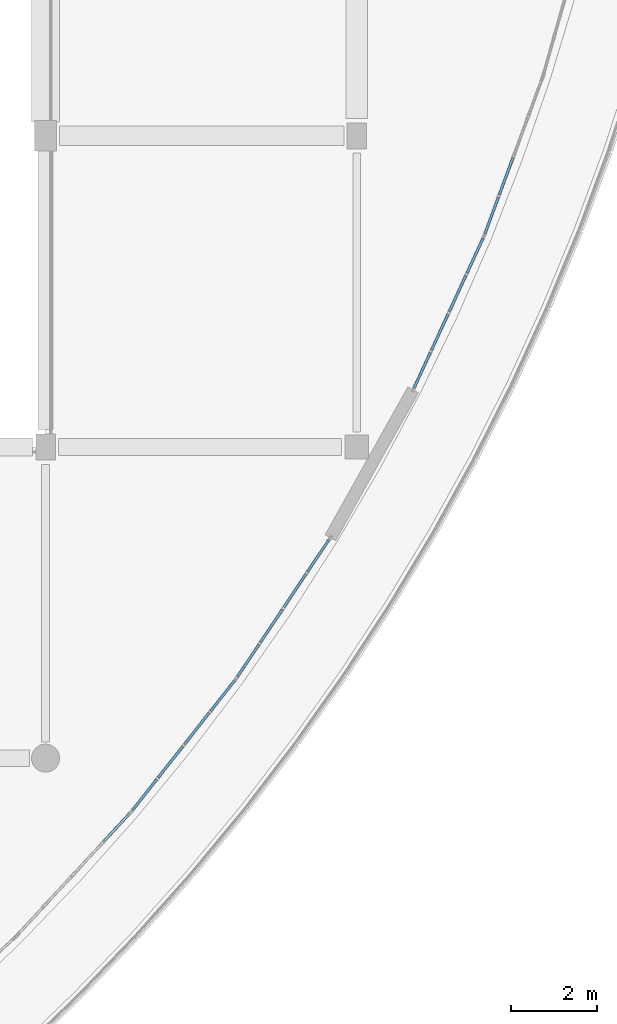
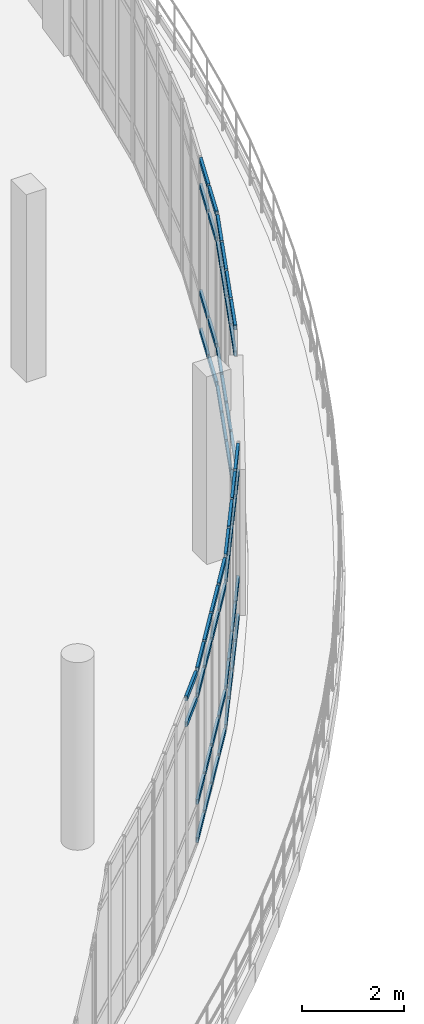
# One storey, part 90 of 134: 58 members, 5 elements without a shape of their own.
"""IFC4 building model written with IfcOpenShell, lengths in metres."""

from ifc_helpers import new_model, si_unit, direction, frame, origin, origin_2d, place, context, subcontext, project, spatial, hollow_rectangle, extrude, material, material_profile, profile_set, type_object, element, aggregate, save


model = new_model("IFC4")

# Units and contexts
model_context = context("Model", 3, precision=1e-05, world=origin(), true_north=direction((0.0, 1.0)))
body_context = subcontext(model_context, "Body", "Model", "MODEL_VIEW")
ifc_project = project(units=[si_unit("LENGTHUNIT", "METRE"), si_unit("AREAUNIT", "SQUARE_METRE"), si_unit("VOLUMEUNIT", "CUBIC_METRE"), si_unit("PLANEANGLEUNIT", "RADIAN"), si_unit("MASSUNIT", "GRAM", prefix="KILO")], contexts=[model_context])

# Site, building, storey
site_placement = place(None, origin())
site = spatial("IfcSite", under=ifc_project, at=site_placement, CompositionType="ELEMENT")
building_placement = place(site_placement, origin())
building = spatial("IfcBuilding", under=site, at=building_placement, Name="Kalluvel Institute of Natural Sciences", CompositionType="ELEMENT")
storey_placement = place(building_placement, frame((0.0, 0.0, 5.39990234375)))
storey = spatial("IfcBuildingStorey", under=building, at=storey_placement, Name="L01", CompositionType="ELEMENT", Elevation=5.39990234375)

# Curtain wall, members
ifc_material = material(Name="Aluminium AW-6063 T6", Category="aluminium")
curtain_wall_type = type_object("IfcCurtainWallType", Name="CW-ATR-ARC", PredefinedType="USERDEFINED", material=ifc_material)
curtain_wall_1_placement = place(storey_placement, origin())
curtain_wall_1 = element("IfcCurtainWall", 1, at=curtain_wall_1_placement, inside=storey, type_object=curtain_wall_type, Name="L01 Gothic lancet curtain wall CWA-L01-X709-Y675", ObjectType="UNITISED LANCET FACADE", PredefinedType="USERDEFINED")
ifc_material_profile = material_profile(ifc_material, hollow_rectangle(XDim=0.06005859375, YDim=0.1201171875, WallThickness=0.00390625, at=origin_2d()), Name="CWT 60x120")
ifc_profile_set = profile_set([ifc_material_profile], Name="Aluminium AW-6063 T6")
member_type = type_object("IfcMemberType", Name="CWT-60x120", PredefinedType="USERDEFINED", material=ifc_profile_set)
member_1_placement = place(storey_placement, frame((72.93701171875, 69.662109375, 3.5), z_axis=(0.678735389063, 0.734382918942, 0.0), x_axis=(-0.734382918942, 0.678735389063, 0.0)))
member_1 = element("IfcMember", 2, at=member_1_placement, type_object=member_type, Name="CW-05 transom 4.3", ObjectType="TRANSOM", PredefinedType="USERDEFINED", context=body_context, shape_type="SweptSolid", body=[
    extrude(hollow_rectangle(XDim=0.06005859375, YDim=0.1201171875, WallThickness=0.00390625, at=origin_2d()), origin(), (0.0, 0.0, 1.0), 0.890625),
])
member_2_placement = place(storey_placement, frame((72.93701171875, 69.662109375, 4.1201171875), z_axis=(0.678735389063, 0.734382918942, 0.0), x_axis=(-0.734382918942, 0.678735389063, 0.0)))
member_2 = element("IfcMember", 3, at=member_2_placement, type_object=member_type, Name="CW-05 transom 4.4", ObjectType="TRANSOM", PredefinedType="USERDEFINED", context=body_context, shape_type="SweptSolid", body=[
    extrude(hollow_rectangle(XDim=0.06005859375, YDim=0.1201171875, WallThickness=0.00390625, at=origin_2d()), origin(), (0.0, 0.0, 1.0), 0.890625),
])
aggregate(curtain_wall_1, [member_1, member_2])

curtain_wall_2_placement = place(storey_placement, origin())
curtain_wall_2 = element("IfcCurtainWall", 4, at=curtain_wall_2_placement, inside=storey, type_object=curtain_wall_type, Name="L01 Gothic lancet curtain wall CWA-L01-X736-Y704", ObjectType="UNITISED LANCET FACADE", PredefinedType="USERDEFINED")
member_3_placement = place(storey_placement, frame((73.619384765625, 70.4072265625, 0.030029296875), z_axis=(0.619128521687, 0.785289674983, 0.0), x_axis=(-0.785289674983, 0.619128521687, 0.0)))
member_3 = element("IfcMember", 5, at=member_3_placement, type_object=member_type, Name="CW-05 transom 1.1", ObjectType="TRANSOM", PredefinedType="USERDEFINED", context=body_context, shape_type="SweptSolid", body=[
    extrude(hollow_rectangle(XDim=0.06005859375, YDim=0.1201171875, WallThickness=0.00390625, at=origin_2d()), origin(), (0.0, 0.0, 1.0), 0.890380859375),
])
member_4_placement = place(storey_placement, frame((73.619384765625, 70.4072265625, 0.9501953125), z_axis=(0.619128521687, 0.785289674983, 0.0), x_axis=(-0.785289674983, 0.619128521687, 0.0)))
member_4 = element("IfcMember", 6, at=member_4_placement, type_object=member_type, Name="CW-05 transom 1.2", ObjectType="TRANSOM", PredefinedType="USERDEFINED", context=body_context, shape_type="SweptSolid", body=[
    extrude(hollow_rectangle(XDim=0.06005859375, YDim=0.1201171875, WallThickness=0.00390625, at=origin_2d()), origin(), (0.0, 0.0, 1.0), 0.890380859375),
])
member_5_placement = place(storey_placement, frame((73.619384765625, 70.4072265625, 3.5), z_axis=(0.619128521687, 0.785289674983, 0.0), x_axis=(-0.785289674983, 0.619128521687, 0.0)))
member_5 = element("IfcMember", 7, at=member_5_placement, type_object=member_type, Name="CW-05 transom 1.3", ObjectType="TRANSOM", PredefinedType="USERDEFINED", context=body_context, shape_type="SweptSolid", body=[
    extrude(hollow_rectangle(XDim=0.06005859375, YDim=0.1201171875, WallThickness=0.00390625, at=origin_2d()), origin(), (0.0, 0.0, 1.0), 0.890380859375),
])
member_6_placement = place(storey_placement, frame((73.619384765625, 70.4072265625, 4.1201171875), z_axis=(0.619128521687, 0.785289674983, 0.0), x_axis=(-0.785289674983, 0.619128521687, 0.0)))
member_6 = element("IfcMember", 8, at=member_6_placement, type_object=member_type, Name="CW-05 transom 1.4", ObjectType="TRANSOM", PredefinedType="USERDEFINED", context=body_context, shape_type="SweptSolid", body=[
    extrude(hollow_rectangle(XDim=0.06005859375, YDim=0.1201171875, WallThickness=0.00390625, at=origin_2d()), origin(), (0.0, 0.0, 1.0), 0.890380859375),
])
member_7_placement = place(storey_placement, frame((74.2080078125, 71.153564453125, 0.030029296875), z_axis=(0.619050734831, 0.785350996501, 0.0), x_axis=(-0.785350996501, 0.619050734831, 0.0)))
member_7 = element("IfcMember", 9, at=member_7_placement, type_object=member_type, Name="CW-05 transom 2.1", ObjectType="TRANSOM", PredefinedType="USERDEFINED", context=body_context, shape_type="SweptSolid", body=[
    extrude(hollow_rectangle(XDim=0.06005859375, YDim=0.1201171875, WallThickness=0.00390625, at=origin_2d()), origin(), (0.0, 0.0, 1.0), 0.92041015625),
])
member_8_placement = place(storey_placement, frame((74.2080078125, 71.153564453125, 0.9501953125), z_axis=(0.619050734831, 0.785350996501, 0.0), x_axis=(-0.785350996501, 0.619050734831, 0.0)))
member_8 = element("IfcMember", 10, at=member_8_placement, type_object=member_type, Name="CW-05 transom 2.2", ObjectType="TRANSOM", PredefinedType="USERDEFINED", context=body_context, shape_type="SweptSolid", body=[
    extrude(hollow_rectangle(XDim=0.06005859375, YDim=0.1201171875, WallThickness=0.00390625, at=origin_2d()), origin(), (0.0, 0.0, 1.0), 0.92041015625),
])
member_9_placement = place(storey_placement, frame((74.2080078125, 71.153564453125, 3.5), z_axis=(0.619050734831, 0.785350996501, 0.0), x_axis=(-0.785350996501, 0.619050734831, 0.0)))
member_9 = element("IfcMember", 11, at=member_9_placement, type_object=member_type, Name="CW-05 transom 2.3", ObjectType="TRANSOM", PredefinedType="USERDEFINED", context=body_context, shape_type="SweptSolid", body=[
    extrude(hollow_rectangle(XDim=0.06005859375, YDim=0.1201171875, WallThickness=0.00390625, at=origin_2d()), origin(), (0.0, 0.0, 1.0), 0.92041015625),
])
member_10_placement = place(storey_placement, frame((74.2080078125, 71.153564453125, 4.1201171875), z_axis=(0.619050734831, 0.785350996501, 0.0), x_axis=(-0.785350996501, 0.619050734831, 0.0)))
member_10 = element("IfcMember", 12, at=member_10_placement, type_object=member_type, Name="CW-05 transom 2.4", ObjectType="TRANSOM", PredefinedType="USERDEFINED", context=body_context, shape_type="SweptSolid", body=[
    extrude(hollow_rectangle(XDim=0.06005859375, YDim=0.1201171875, WallThickness=0.00390625, at=origin_2d()), origin(), (0.0, 0.0, 1.0), 0.92041015625),
])
member_11_placement = place(storey_placement, frame((74.81494140625, 71.923583984375, 0.030029296875), z_axis=(0.619050734831, 0.785350996501, 0.0), x_axis=(-0.785350996501, 0.619050734831, 0.0)))
member_11 = element("IfcMember", 13, at=member_11_placement, type_object=member_type, Name="CW-05 transom 3.1", ObjectType="TRANSOM", PredefinedType="USERDEFINED", context=body_context, shape_type="SweptSolid", body=[
    extrude(hollow_rectangle(XDim=0.06005859375, YDim=0.1201171875, WallThickness=0.00390625, at=origin_2d()), origin(), (0.0, 0.0, 1.0), 0.92041015625),
])
member_12_placement = place(storey_placement, frame((74.81494140625, 71.923583984375, 0.9501953125), z_axis=(0.619050734831, 0.785350996501, 0.0), x_axis=(-0.785350996501, 0.619050734831, 0.0)))
member_12 = element("IfcMember", 14, at=member_12_placement, type_object=member_type, Name="CW-05 transom 3.2", ObjectType="TRANSOM", PredefinedType="USERDEFINED", context=body_context, shape_type="SweptSolid", body=[
    extrude(hollow_rectangle(XDim=0.06005859375, YDim=0.1201171875, WallThickness=0.00390625, at=origin_2d()), origin(), (0.0, 0.0, 1.0), 0.92041015625),
])
member_13_placement = place(storey_placement, frame((74.81494140625, 71.923583984375, 3.5), z_axis=(0.619050734831, 0.785350996501, 0.0), x_axis=(-0.785350996501, 0.619050734831, 0.0)))
member_13 = element("IfcMember", 15, at=member_13_placement, type_object=member_type, Name="CW-05 transom 3.3", ObjectType="TRANSOM", PredefinedType="USERDEFINED", context=body_context, shape_type="SweptSolid", body=[
    extrude(hollow_rectangle(XDim=0.06005859375, YDim=0.1201171875, WallThickness=0.00390625, at=origin_2d()), origin(), (0.0, 0.0, 1.0), 0.92041015625),
])
member_14_placement = place(storey_placement, frame((74.81494140625, 71.923583984375, 4.1201171875), z_axis=(0.619050734831, 0.785350996501, 0.0), x_axis=(-0.785350996501, 0.619050734831, 0.0)))
member_14 = element("IfcMember", 16, at=member_14_placement, type_object=member_type, Name="CW-05 transom 3.4", ObjectType="TRANSOM", PredefinedType="USERDEFINED", context=body_context, shape_type="SweptSolid", body=[
    extrude(hollow_rectangle(XDim=0.06005859375, YDim=0.1201171875, WallThickness=0.00390625, at=origin_2d()), origin(), (0.0, 0.0, 1.0), 0.92041015625),
])
member_15_placement = place(storey_placement, frame((75.421875, 72.693603515625, 0.030029296875), z_axis=(0.618995229983, 0.785394744863, 0.0), x_axis=(-0.785394744863, 0.618995229983, 0.0)))
member_15 = element("IfcMember", 17, at=member_15_placement, type_object=member_type, Name="CW-05 transom 4.1", ObjectType="TRANSOM", PredefinedType="USERDEFINED", context=body_context, shape_type="SweptSolid", body=[
    extrude(hollow_rectangle(XDim=0.06005859375, YDim=0.1201171875, WallThickness=0.00390625, at=origin_2d()), origin(), (0.0, 0.0, 1.0), 0.890625),
])
member_16_placement = place(storey_placement, frame((75.421875, 72.693603515625, 0.9501953125), z_axis=(0.618995229983, 0.785394744863, 0.0), x_axis=(-0.785394744863, 0.618995229983, 0.0)))
member_16 = element("IfcMember", 18, at=member_16_placement, type_object=member_type, Name="CW-05 transom 4.2", ObjectType="TRANSOM", PredefinedType="USERDEFINED", context=body_context, shape_type="SweptSolid", body=[
    extrude(hollow_rectangle(XDim=0.06005859375, YDim=0.1201171875, WallThickness=0.00390625, at=origin_2d()), origin(), (0.0, 0.0, 1.0), 0.890625),
])
member_17_placement = place(storey_placement, frame((75.421875, 72.693603515625, 3.5), z_axis=(0.618995229983, 0.785394744863, 0.0), x_axis=(-0.785394744863, 0.618995229983, 0.0)))
member_17 = element("IfcMember", 19, at=member_17_placement, type_object=member_type, Name="CW-05 transom 4.3", ObjectType="TRANSOM", PredefinedType="USERDEFINED", context=body_context, shape_type="SweptSolid", body=[
    extrude(hollow_rectangle(XDim=0.06005859375, YDim=0.1201171875, WallThickness=0.00390625, at=origin_2d()), origin(), (0.0, 0.0, 1.0), 0.890625),
])
member_18_placement = place(storey_placement, frame((75.421875, 72.693603515625, 4.1201171875), z_axis=(0.618995229983, 0.785394744863, 0.0), x_axis=(-0.785394744863, 0.618995229983, 0.0)))
member_18 = element("IfcMember", 20, at=member_18_placement, type_object=member_type, Name="CW-05 transom 4.4", ObjectType="TRANSOM", PredefinedType="USERDEFINED", context=body_context, shape_type="SweptSolid", body=[
    extrude(hollow_rectangle(XDim=0.06005859375, YDim=0.1201171875, WallThickness=0.00390625, at=origin_2d()), origin(), (0.0, 0.0, 1.0), 0.890625),
])
aggregate(curtain_wall_2, [member_3, member_4, member_5, member_6, member_7, member_8, member_9, member_10, member_11, member_12, member_13, member_14, member_15, member_16, member_17, member_18])

curtain_wall_3_placement = place(storey_placement, origin())
curtain_wall_3 = element("IfcCurtainWall", 21, at=curtain_wall_3_placement, inside=storey, type_object=curtain_wall_type, Name="L01 Gothic lancet curtain wall CWA-L01-X760-Y734", ObjectType="UNITISED LANCET FACADE", PredefinedType="USERDEFINED")
member_19_placement = place(storey_placement, frame((76.043701171875, 73.489990234375, 0.030029296875), z_axis=(0.555648725219, 0.831417160132, 0.0), x_axis=(-0.831417160132, 0.555648725219, 0.0)))
member_19 = element("IfcMember", 22, at=member_19_placement, type_object=member_type, Name="CW-05 transom 1.1", ObjectType="TRANSOM", PredefinedType="USERDEFINED", context=body_context, shape_type="SweptSolid", body=[
    extrude(hollow_rectangle(XDim=0.06005859375, YDim=0.1201171875, WallThickness=0.00390625, at=origin_2d()), origin(), (0.0, 0.0, 1.0), 0.890625),
])
member_20_placement = place(storey_placement, frame((76.043701171875, 73.489990234375, 0.9501953125), z_axis=(0.555648725219, 0.831417160132, 0.0), x_axis=(-0.831417160132, 0.555648725219, 0.0)))
member_20 = element("IfcMember", 23, at=member_20_placement, type_object=member_type, Name="CW-05 transom 1.2", ObjectType="TRANSOM", PredefinedType="USERDEFINED", context=body_context, shape_type="SweptSolid", body=[
    extrude(hollow_rectangle(XDim=0.06005859375, YDim=0.1201171875, WallThickness=0.00390625, at=origin_2d()), origin(), (0.0, 0.0, 1.0), 0.890625),
])
member_21_placement = place(storey_placement, frame((76.043701171875, 73.489990234375, 3.5), z_axis=(0.555648725219, 0.831417160132, 0.0), x_axis=(-0.831417160132, 0.555648725219, 0.0)))
member_21 = element("IfcMember", 24, at=member_21_placement, type_object=member_type, Name="CW-05 transom 1.3", ObjectType="TRANSOM", PredefinedType="USERDEFINED", context=body_context, shape_type="SweptSolid", body=[
    extrude(hollow_rectangle(XDim=0.06005859375, YDim=0.1201171875, WallThickness=0.00390625, at=origin_2d()), origin(), (0.0, 0.0, 1.0), 0.890625),
])
member_22_placement = place(storey_placement, frame((76.043701171875, 73.489990234375, 4.1201171875), z_axis=(0.555648725219, 0.831417160132, 0.0), x_axis=(-0.831417160132, 0.555648725219, 0.0)))
member_22 = element("IfcMember", 25, at=member_22_placement, type_object=member_type, Name="CW-05 transom 1.4", ObjectType="TRANSOM", PredefinedType="USERDEFINED", context=body_context, shape_type="SweptSolid", body=[
    extrude(hollow_rectangle(XDim=0.06005859375, YDim=0.1201171875, WallThickness=0.00390625, at=origin_2d()), origin(), (0.0, 0.0, 1.0), 0.890625),
])
member_23_placement = place(storey_placement, frame((76.57177734375, 74.2802734375, 0.030029296875), z_axis=(0.555617898073, 0.831437761556, 0.0), x_axis=(-0.831437761556, 0.555617898073, 0.0)))
member_23 = element("IfcMember", 26, at=member_23_placement, type_object=member_type, Name="CW-05 transom 2.1", ObjectType="TRANSOM", PredefinedType="USERDEFINED", context=body_context, shape_type="SweptSolid", body=[
    extrude(hollow_rectangle(XDim=0.06005859375, YDim=0.1201171875, WallThickness=0.00390625, at=origin_2d()), origin(), (0.0, 0.0, 1.0), 0.920654296875),
])
member_24_placement = place(storey_placement, frame((76.57177734375, 74.2802734375, 0.9501953125), z_axis=(0.555617898073, 0.831437761556, 0.0), x_axis=(-0.831437761556, 0.555617898073, 0.0)))
member_24 = element("IfcMember", 27, at=member_24_placement, type_object=member_type, Name="CW-05 transom 2.2", ObjectType="TRANSOM", PredefinedType="USERDEFINED", context=body_context, shape_type="SweptSolid", body=[
    extrude(hollow_rectangle(XDim=0.06005859375, YDim=0.1201171875, WallThickness=0.00390625, at=origin_2d()), origin(), (0.0, 0.0, 1.0), 0.920654296875),
])
member_25_placement = place(storey_placement, frame((76.57177734375, 74.2802734375, 3.5), z_axis=(0.555617898073, 0.831437761556, 0.0), x_axis=(-0.831437761556, 0.555617898073, 0.0)))
member_25 = element("IfcMember", 28, at=member_25_placement, type_object=member_type, Name="CW-05 transom 2.3", ObjectType="TRANSOM", PredefinedType="USERDEFINED", context=body_context, shape_type="SweptSolid", body=[
    extrude(hollow_rectangle(XDim=0.06005859375, YDim=0.1201171875, WallThickness=0.00390625, at=origin_2d()), origin(), (0.0, 0.0, 1.0), 0.920654296875),
])
member_26_placement = place(storey_placement, frame((76.57177734375, 74.2802734375, 4.1201171875), z_axis=(0.555617898073, 0.831437761556, 0.0), x_axis=(-0.831437761556, 0.555617898073, 0.0)))
member_26 = element("IfcMember", 29, at=member_26_placement, type_object=member_type, Name="CW-05 transom 2.4", ObjectType="TRANSOM", PredefinedType="USERDEFINED", context=body_context, shape_type="SweptSolid", body=[
    extrude(hollow_rectangle(XDim=0.06005859375, YDim=0.1201171875, WallThickness=0.00390625, at=origin_2d()), origin(), (0.0, 0.0, 1.0), 0.920654296875),
])
member_27_placement = place(storey_placement, frame((77.116455078125, 75.095703125, 0.030029296875), z_axis=(0.555617898073, 0.831437761556, 0.0), x_axis=(-0.831437761556, 0.555617898073, 0.0)))
member_27 = element("IfcMember", 30, at=member_27_placement, type_object=member_type, Name="CW-05 transom 3.1", ObjectType="TRANSOM", PredefinedType="USERDEFINED", context=body_context, shape_type="SweptSolid", body=[
    extrude(hollow_rectangle(XDim=0.06005859375, YDim=0.1201171875, WallThickness=0.00390625, at=origin_2d()), origin(), (0.0, 0.0, 1.0), 0.920654296875),
])
member_28_placement = place(storey_placement, frame((77.116455078125, 75.095703125, 0.9501953125), z_axis=(0.555617898073, 0.831437761556, 0.0), x_axis=(-0.831437761556, 0.555617898073, 0.0)))
member_28 = element("IfcMember", 31, at=member_28_placement, type_object=member_type, Name="CW-05 transom 3.2", ObjectType="TRANSOM", PredefinedType="USERDEFINED", context=body_context, shape_type="SweptSolid", body=[
    extrude(hollow_rectangle(XDim=0.06005859375, YDim=0.1201171875, WallThickness=0.00390625, at=origin_2d()), origin(), (0.0, 0.0, 1.0), 0.920654296875),
])
member_29_placement = place(storey_placement, frame((77.116455078125, 75.095703125, 3.5), z_axis=(0.555617898073, 0.831437761556, 0.0), x_axis=(-0.831437761556, 0.555617898073, 0.0)))
member_29 = element("IfcMember", 32, at=member_29_placement, type_object=member_type, Name="CW-05 transom 3.3", ObjectType="TRANSOM", PredefinedType="USERDEFINED", context=body_context, shape_type="SweptSolid", body=[
    extrude(hollow_rectangle(XDim=0.06005859375, YDim=0.1201171875, WallThickness=0.00390625, at=origin_2d()), origin(), (0.0, 0.0, 1.0), 0.920654296875),
])
member_30_placement = place(storey_placement, frame((77.116455078125, 75.095703125, 4.1201171875), z_axis=(0.555617898073, 0.831437761556, 0.0), x_axis=(-0.831437761556, 0.555617898073, 0.0)))
member_30 = element("IfcMember", 33, at=member_30_placement, type_object=member_type, Name="CW-05 transom 3.4", ObjectType="TRANSOM", PredefinedType="USERDEFINED", context=body_context, shape_type="SweptSolid", body=[
    extrude(hollow_rectangle(XDim=0.06005859375, YDim=0.1201171875, WallThickness=0.00390625, at=origin_2d()), origin(), (0.0, 0.0, 1.0), 0.920654296875),
])
member_31_placement = place(storey_placement, frame((77.661376953125, 75.910888671875, 0.030029296875), z_axis=(0.555459192687, 0.831543796357, 0.0), x_axis=(-0.831543796357, 0.555459192687, 0.0)))
member_31 = element("IfcMember", 34, at=member_31_placement, type_object=member_type, Name="CW-05 transom 4.1", ObjectType="TRANSOM", PredefinedType="USERDEFINED", context=body_context, shape_type="SweptSolid", body=[
    extrude(hollow_rectangle(XDim=0.06005859375, YDim=0.1201171875, WallThickness=0.00390625, at=origin_2d()), origin(), (0.0, 0.0, 1.0), 0.890380859375),
])
member_32_placement = place(storey_placement, frame((77.661376953125, 75.910888671875, 0.9501953125), z_axis=(0.555459192687, 0.831543796357, 0.0), x_axis=(-0.831543796357, 0.555459192687, 0.0)))
member_32 = element("IfcMember", 35, at=member_32_placement, type_object=member_type, Name="CW-05 transom 4.2", ObjectType="TRANSOM", PredefinedType="USERDEFINED", context=body_context, shape_type="SweptSolid", body=[
    extrude(hollow_rectangle(XDim=0.06005859375, YDim=0.1201171875, WallThickness=0.00390625, at=origin_2d()), origin(), (0.0, 0.0, 1.0), 0.890380859375),
])
member_33_placement = place(storey_placement, frame((77.661376953125, 75.910888671875, 3.5), z_axis=(0.555459192687, 0.831543796357, 0.0), x_axis=(-0.831543796357, 0.555459192687, 0.0)))
member_33 = element("IfcMember", 36, at=member_33_placement, type_object=member_type, Name="CW-05 transom 4.3", ObjectType="TRANSOM", PredefinedType="USERDEFINED", context=body_context, shape_type="SweptSolid", body=[
    extrude(hollow_rectangle(XDim=0.06005859375, YDim=0.1201171875, WallThickness=0.00390625, at=origin_2d()), origin(), (0.0, 0.0, 1.0), 0.890380859375),
])
member_34_placement = place(storey_placement, frame((77.661376953125, 75.910888671875, 4.1201171875), z_axis=(0.555459192687, 0.831543796357, 0.0), x_axis=(-0.831543796357, 0.555459192687, 0.0)))
member_34 = element("IfcMember", 37, at=member_34_placement, type_object=member_type, Name="CW-05 transom 4.4", ObjectType="TRANSOM", PredefinedType="USERDEFINED", context=body_context, shape_type="SweptSolid", body=[
    extrude(hollow_rectangle(XDim=0.06005859375, YDim=0.1201171875, WallThickness=0.00390625, at=origin_2d()), origin(), (0.0, 0.0, 1.0), 0.890380859375),
])
aggregate(curtain_wall_3, [member_19, member_20, member_21, member_22, member_23, member_24, member_25, member_26, member_27, member_28, member_29, member_30, member_31, member_32, member_33, member_34])

curtain_wall_4_placement = place(storey_placement, origin())
curtain_wall_4 = element("IfcCurtainWall", 38, at=curtain_wall_4_placement, inside=storey, type_object=curtain_wall_type, Name="L01 Gothic lancet curtain wall CWA-L01-X801-Y801", ObjectType="UNITISED LANCET FACADE", PredefinedType="USERDEFINED")
member_35_placement = place(storey_placement, frame((80.130859375, 80.177734375, 0.030029296875), z_axis=(0.418692998499, 0.908127839573, 0.0), x_axis=(-0.908127839573, 0.418692998499, 0.0)))
member_35 = element("IfcMember", 39, at=member_35_placement, type_object=member_type, Name="CW-05 transom 1.1", ObjectType="TRANSOM", PredefinedType="USERDEFINED", context=body_context, shape_type="SweptSolid", body=[
    extrude(hollow_rectangle(XDim=0.06005859375, YDim=0.1201171875, WallThickness=0.00390625, at=origin_2d()), origin(), (0.0, 0.0, 1.0), 0.890380859375),
])
member_36_placement = place(storey_placement, frame((80.130859375, 80.177734375, 0.9501953125), z_axis=(0.418692998499, 0.908127839573, 0.0), x_axis=(-0.908127839573, 0.418692998499, 0.0)))
member_36 = element("IfcMember", 40, at=member_36_placement, type_object=member_type, Name="CW-05 transom 1.2", ObjectType="TRANSOM", PredefinedType="USERDEFINED", context=body_context, shape_type="SweptSolid", body=[
    extrude(hollow_rectangle(XDim=0.06005859375, YDim=0.1201171875, WallThickness=0.00390625, at=origin_2d()), origin(), (0.0, 0.0, 1.0), 0.890380859375),
])
member_37_placement = place(storey_placement, frame((80.130859375, 80.177734375, 3.5), z_axis=(0.418692998499, 0.908127839573, 0.0), x_axis=(-0.908127839573, 0.418692998499, 0.0)))
member_37 = element("IfcMember", 41, at=member_37_placement, type_object=member_type, Name="CW-05 transom 1.3", ObjectType="TRANSOM", PredefinedType="USERDEFINED", context=body_context, shape_type="SweptSolid", body=[
    extrude(hollow_rectangle(XDim=0.06005859375, YDim=0.1201171875, WallThickness=0.00390625, at=origin_2d()), origin(), (0.0, 0.0, 1.0), 0.890380859375),
])
member_38_placement = place(storey_placement, frame((80.130859375, 80.177734375, 4.1201171875), z_axis=(0.418692998499, 0.908127839573, 0.0), x_axis=(-0.908127839573, 0.418692998499, 0.0)))
member_38 = element("IfcMember", 42, at=member_38_placement, type_object=member_type, Name="CW-05 transom 1.4", ObjectType="TRANSOM", PredefinedType="USERDEFINED", context=body_context, shape_type="SweptSolid", body=[
    extrude(hollow_rectangle(XDim=0.06005859375, YDim=0.1201171875, WallThickness=0.00390625, at=origin_2d()), origin(), (0.0, 0.0, 1.0), 0.890380859375),
])
member_39_placement = place(storey_placement, frame((80.52880859375, 81.041015625, 0.030029296875), z_axis=(0.418772243508, 0.908091299412, 0.0), x_axis=(-0.908091299412, 0.418772243508, 0.0)))
member_39 = element("IfcMember", 43, at=member_39_placement, type_object=member_type, Name="CW-05 transom 2.1", ObjectType="TRANSOM", PredefinedType="USERDEFINED", context=body_context, shape_type="SweptSolid", body=[
    extrude(hollow_rectangle(XDim=0.06005859375, YDim=0.1201171875, WallThickness=0.00390625, at=origin_2d()), origin(), (0.0, 0.0, 1.0), 0.920654296875),
])
member_40_placement = place(storey_placement, frame((80.52880859375, 81.041015625, 0.9501953125), z_axis=(0.418772243508, 0.908091299412, 0.0), x_axis=(-0.908091299412, 0.418772243508, 0.0)))
member_40 = element("IfcMember", 44, at=member_40_placement, type_object=member_type, Name="CW-05 transom 2.2", ObjectType="TRANSOM", PredefinedType="USERDEFINED", context=body_context, shape_type="SweptSolid", body=[
    extrude(hollow_rectangle(XDim=0.06005859375, YDim=0.1201171875, WallThickness=0.00390625, at=origin_2d()), origin(), (0.0, 0.0, 1.0), 0.920654296875),
])
member_41_placement = place(storey_placement, frame((80.52880859375, 81.041015625, 3.5), z_axis=(0.418772243508, 0.908091299412, 0.0), x_axis=(-0.908091299412, 0.418772243508, 0.0)))
member_41 = element("IfcMember", 45, at=member_41_placement, type_object=member_type, Name="CW-05 transom 2.3", ObjectType="TRANSOM", PredefinedType="USERDEFINED", context=body_context, shape_type="SweptSolid", body=[
    extrude(hollow_rectangle(XDim=0.06005859375, YDim=0.1201171875, WallThickness=0.00390625, at=origin_2d()), origin(), (0.0, 0.0, 1.0), 0.920654296875),
])
member_42_placement = place(storey_placement, frame((80.52880859375, 81.041015625, 4.1201171875), z_axis=(0.418772243508, 0.908091299412, 0.0), x_axis=(-0.908091299412, 0.418772243508, 0.0)))
member_42 = element("IfcMember", 46, at=member_42_placement, type_object=member_type, Name="CW-05 transom 2.4", ObjectType="TRANSOM", PredefinedType="USERDEFINED", context=body_context, shape_type="SweptSolid", body=[
    extrude(hollow_rectangle(XDim=0.06005859375, YDim=0.1201171875, WallThickness=0.00390625, at=origin_2d()), origin(), (0.0, 0.0, 1.0), 0.920654296875),
])
member_43_placement = place(storey_placement, frame((80.939453125, 81.931396484375, 0.030029296875), z_axis=(0.41855350405, 0.9081921406, 0.0), x_axis=(-0.9081921406, 0.41855350405, 0.0)))
member_43 = element("IfcMember", 47, at=member_43_placement, type_object=member_type, Name="CW-05 transom 3.1", ObjectType="TRANSOM", PredefinedType="USERDEFINED", context=body_context, shape_type="SweptSolid", body=[
    extrude(hollow_rectangle(XDim=0.06005859375, YDim=0.1201171875, WallThickness=0.00390625, at=origin_2d()), origin(), (0.0, 0.0, 1.0), 0.92041015625),
])
member_44_placement = place(storey_placement, frame((80.939453125, 81.931396484375, 0.9501953125), z_axis=(0.41855350405, 0.9081921406, 0.0), x_axis=(-0.9081921406, 0.41855350405, 0.0)))
member_44 = element("IfcMember", 48, at=member_44_placement, type_object=member_type, Name="CW-05 transom 3.2", ObjectType="TRANSOM", PredefinedType="USERDEFINED", context=body_context, shape_type="SweptSolid", body=[
    extrude(hollow_rectangle(XDim=0.06005859375, YDim=0.1201171875, WallThickness=0.00390625, at=origin_2d()), origin(), (0.0, 0.0, 1.0), 0.92041015625),
])
member_45_placement = place(storey_placement, frame((80.939453125, 81.931396484375, 3.5), z_axis=(0.41855350405, 0.9081921406, 0.0), x_axis=(-0.9081921406, 0.41855350405, 0.0)))
member_45 = element("IfcMember", 49, at=member_45_placement, type_object=member_type, Name="CW-05 transom 3.3", ObjectType="TRANSOM", PredefinedType="USERDEFINED", context=body_context, shape_type="SweptSolid", body=[
    extrude(hollow_rectangle(XDim=0.06005859375, YDim=0.1201171875, WallThickness=0.00390625, at=origin_2d()), origin(), (0.0, 0.0, 1.0), 0.92041015625),
])
member_46_placement = place(storey_placement, frame((80.939453125, 81.931396484375, 4.1201171875), z_axis=(0.41855350405, 0.9081921406, 0.0), x_axis=(-0.9081921406, 0.41855350405, 0.0)))
member_46 = element("IfcMember", 50, at=member_46_placement, type_object=member_type, Name="CW-05 transom 3.4", ObjectType="TRANSOM", PredefinedType="USERDEFINED", context=body_context, shape_type="SweptSolid", body=[
    extrude(hollow_rectangle(XDim=0.06005859375, YDim=0.1201171875, WallThickness=0.00390625, at=origin_2d()), origin(), (0.0, 0.0, 1.0), 0.92041015625),
])
member_47_placement = place(storey_placement, frame((81.349853515625, 82.82177734375, 0.030029296875), z_axis=(0.418588766105, 0.908175888741, 0.0), x_axis=(-0.908175888741, 0.418588766105, 0.0)))
member_47 = element("IfcMember", 51, at=member_47_placement, type_object=member_type, Name="CW-05 transom 4.1", ObjectType="TRANSOM", PredefinedType="USERDEFINED", context=body_context, shape_type="SweptSolid", body=[
    extrude(hollow_rectangle(XDim=0.06005859375, YDim=0.1201171875, WallThickness=0.00390625, at=origin_2d()), origin(), (0.0, 0.0, 1.0), 0.890625),
])
member_48_placement = place(storey_placement, frame((81.349853515625, 82.82177734375, 0.9501953125), z_axis=(0.418588766105, 0.908175888741, 0.0), x_axis=(-0.908175888741, 0.418588766105, 0.0)))
member_48 = element("IfcMember", 52, at=member_48_placement, type_object=member_type, Name="CW-05 transom 4.2", ObjectType="TRANSOM", PredefinedType="USERDEFINED", context=body_context, shape_type="SweptSolid", body=[
    extrude(hollow_rectangle(XDim=0.06005859375, YDim=0.1201171875, WallThickness=0.00390625, at=origin_2d()), origin(), (0.0, 0.0, 1.0), 0.890625),
])
member_49_placement = place(storey_placement, frame((81.349853515625, 82.82177734375, 3.5), z_axis=(0.418588766105, 0.908175888741, 0.0), x_axis=(-0.908175888741, 0.418588766105, 0.0)))
member_49 = element("IfcMember", 53, at=member_49_placement, type_object=member_type, Name="CW-05 transom 4.3", ObjectType="TRANSOM", PredefinedType="USERDEFINED", context=body_context, shape_type="SweptSolid", body=[
    extrude(hollow_rectangle(XDim=0.06005859375, YDim=0.1201171875, WallThickness=0.00390625, at=origin_2d()), origin(), (0.0, 0.0, 1.0), 0.890625),
])
member_50_placement = place(storey_placement, frame((81.349853515625, 82.82177734375, 4.1201171875), z_axis=(0.418588766105, 0.908175888741, 0.0), x_axis=(-0.908175888741, 0.418588766105, 0.0)))
member_50 = element("IfcMember", 54, at=member_50_placement, type_object=member_type, Name="CW-05 transom 4.4", ObjectType="TRANSOM", PredefinedType="USERDEFINED", context=body_context, shape_type="SweptSolid", body=[
    extrude(hollow_rectangle(XDim=0.06005859375, YDim=0.1201171875, WallThickness=0.00390625, at=origin_2d()), origin(), (0.0, 0.0, 1.0), 0.890625),
])
aggregate(curtain_wall_4, [member_35, member_36, member_37, member_38, member_39, member_40, member_41, member_42, member_43, member_44, member_45, member_46, member_47, member_48, member_49, member_50])

curtain_wall_5_placement = place(storey_placement, origin())
curtain_wall_5 = element("IfcCurtainWall", 55, at=curtain_wall_5_placement, inside=storey, type_object=curtain_wall_type, Name="L01 Gothic lancet curtain wall CWA-L01-X817-Y837", ObjectType="UNITISED LANCET FACADE", PredefinedType="USERDEFINED")
member_51_placement = place(storey_placement, frame((81.7685546875, 83.7412109375, 0.030029296875), z_axis=(0.346251594492, 0.93814169149, 0.0), x_axis=(-0.93814169149, 0.346251594492, 0.0)))
member_51 = element("IfcMember", 56, at=member_51_placement, type_object=member_type, Name="CW-05 transom 1.1", ObjectType="TRANSOM", PredefinedType="USERDEFINED", context=body_context, shape_type="SweptSolid", body=[
    extrude(hollow_rectangle(XDim=0.06005859375, YDim=0.1201171875, WallThickness=0.00390625, at=origin_2d()), origin(), (0.0, 0.0, 1.0), 0.890625),
])
member_52_placement = place(storey_placement, frame((81.7685546875, 83.7412109375, 0.9501953125), z_axis=(0.346251594492, 0.93814169149, 0.0), x_axis=(-0.93814169149, 0.346251594492, 0.0)))
member_52 = element("IfcMember", 57, at=member_52_placement, type_object=member_type, Name="CW-05 transom 1.2", ObjectType="TRANSOM", PredefinedType="USERDEFINED", context=body_context, shape_type="SweptSolid", body=[
    extrude(hollow_rectangle(XDim=0.06005859375, YDim=0.1201171875, WallThickness=0.00390625, at=origin_2d()), origin(), (0.0, 0.0, 1.0), 0.890625),
])
member_53_placement = place(storey_placement, frame((81.7685546875, 83.7412109375, 3.5), z_axis=(0.346251594492, 0.93814169149, 0.0), x_axis=(-0.93814169149, 0.346251594492, 0.0)))
member_53 = element("IfcMember", 58, at=member_53_placement, type_object=member_type, Name="CW-05 transom 1.3", ObjectType="TRANSOM", PredefinedType="USERDEFINED", context=body_context, shape_type="SweptSolid", body=[
    extrude(hollow_rectangle(XDim=0.06005859375, YDim=0.1201171875, WallThickness=0.00390625, at=origin_2d()), origin(), (0.0, 0.0, 1.0), 0.890625),
])
member_54_placement = place(storey_placement, frame((81.7685546875, 83.7412109375, 4.1201171875), z_axis=(0.346251594492, 0.93814169149, 0.0), x_axis=(-0.93814169149, 0.346251594492, 0.0)))
member_54 = element("IfcMember", 59, at=member_54_placement, type_object=member_type, Name="CW-05 transom 1.4", ObjectType="TRANSOM", PredefinedType="USERDEFINED", context=body_context, shape_type="SweptSolid", body=[
    extrude(hollow_rectangle(XDim=0.06005859375, YDim=0.1201171875, WallThickness=0.00390625, at=origin_2d()), origin(), (0.0, 0.0, 1.0), 0.890625),
])
member_55_placement = place(storey_placement, frame((82.09765625, 84.633056640625, 0.030029296875), z_axis=(0.346147830649, 0.938179982379, 0.0), x_axis=(-0.938179982379, 0.346147830649, 0.0)))
member_55 = element("IfcMember", 60, at=member_55_placement, type_object=member_type, Name="CW-05 transom 2.1", ObjectType="TRANSOM", PredefinedType="USERDEFINED", context=body_context, shape_type="SweptSolid", body=[
    extrude(hollow_rectangle(XDim=0.06005859375, YDim=0.1201171875, WallThickness=0.00390625, at=origin_2d()), origin(), (0.0, 0.0, 1.0), 0.92041015625),
])
member_56_placement = place(storey_placement, frame((82.09765625, 84.633056640625, 0.9501953125), z_axis=(0.346147830649, 0.938179982379, 0.0), x_axis=(-0.938179982379, 0.346147830649, 0.0)))
member_56 = element("IfcMember", 61, at=member_56_placement, type_object=member_type, Name="CW-05 transom 2.2", ObjectType="TRANSOM", PredefinedType="USERDEFINED", context=body_context, shape_type="SweptSolid", body=[
    extrude(hollow_rectangle(XDim=0.06005859375, YDim=0.1201171875, WallThickness=0.00390625, at=origin_2d()), origin(), (0.0, 0.0, 1.0), 0.92041015625),
])
member_57_placement = place(storey_placement, frame((82.09765625, 84.633056640625, 3.5), z_axis=(0.346147830649, 0.938179982379, 0.0), x_axis=(-0.938179982379, 0.346147830649, 0.0)))
member_57 = element("IfcMember", 62, at=member_57_placement, type_object=member_type, Name="CW-05 transom 2.3", ObjectType="TRANSOM", PredefinedType="USERDEFINED", context=body_context, shape_type="SweptSolid", body=[
    extrude(hollow_rectangle(XDim=0.06005859375, YDim=0.1201171875, WallThickness=0.00390625, at=origin_2d()), origin(), (0.0, 0.0, 1.0), 0.92041015625),
])
member_58_placement = place(storey_placement, frame((82.09765625, 84.633056640625, 4.1201171875), z_axis=(0.346147830649, 0.938179982379, 0.0), x_axis=(-0.938179982379, 0.346147830649, 0.0)))
member_58 = element("IfcMember", 63, at=member_58_placement, type_object=member_type, Name="CW-05 transom 2.4", ObjectType="TRANSOM", PredefinedType="USERDEFINED", context=body_context, shape_type="SweptSolid", body=[
    extrude(hollow_rectangle(XDim=0.06005859375, YDim=0.1201171875, WallThickness=0.00390625, at=origin_2d()), origin(), (0.0, 0.0, 1.0), 0.92041015625),
])
aggregate(curtain_wall_5, [member_51, member_52, member_53, member_54, member_55, member_56, member_57, member_58])

save(model, "model.ifc")
